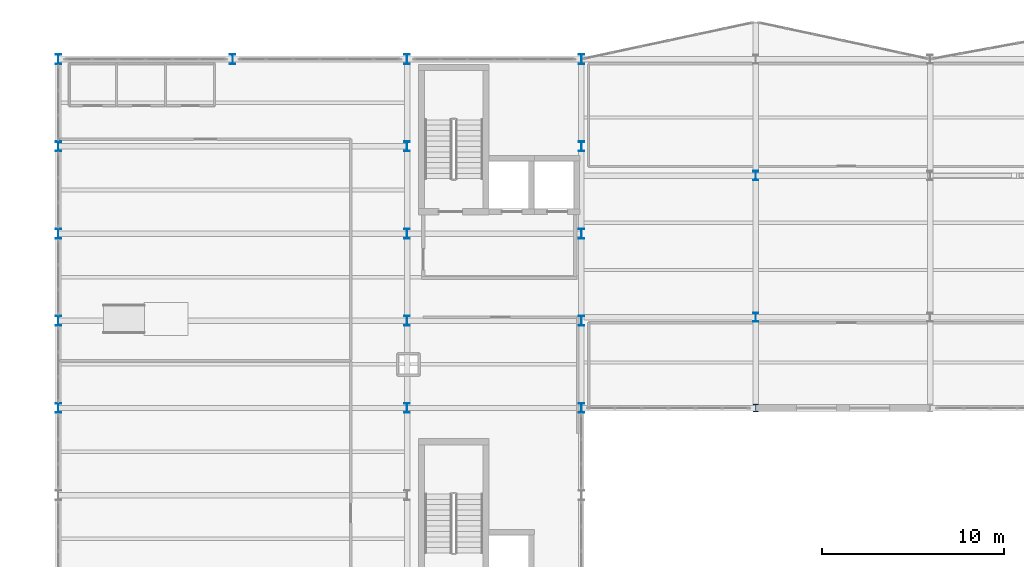
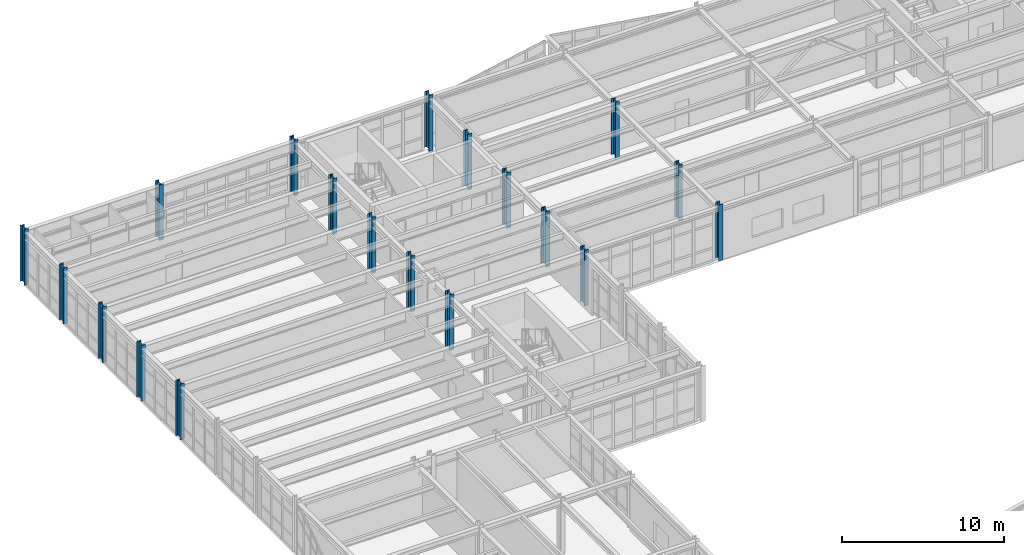
# One storey, part 6 of 88: 19 columns.
"""IFC4 building model written with IfcOpenShell, lengths in metres."""

from ifc_helpers import new_model, si_unit, direction, frame, origin, origin_2d, place, context, subcontext, project, spatial, i_section, extrude, material, material_profile, profile_set, type_object, element, save


model = new_model("IFC4")

# Units and contexts
model_context = context("Model", 3, precision=1e-05, world=origin(), true_north=direction((0.0, 1.0)))
body_context = subcontext(model_context, "Body", "Model", "MODEL_VIEW")
ifc_project = project(units=[si_unit("LENGTHUNIT", "METRE"), si_unit("AREAUNIT", "SQUARE_METRE"), si_unit("VOLUMEUNIT", "CUBIC_METRE"), si_unit("PLANEANGLEUNIT", "RADIAN"), si_unit("MASSUNIT", "GRAM", prefix="KILO")], contexts=[model_context])

# Site, building, storey
site_placement = place(None, origin())
site = spatial("IfcSite", under=ifc_project, at=site_placement, CompositionType="ELEMENT")
building_placement = place(site_placement, origin())
building = spatial("IfcBuilding", under=site, at=building_placement, Name="Nordkorset Police Headquarters", CompositionType="ELEMENT")
storey_placement = place(building_placement, frame((0.0, 0.0, 9.449951171875)))
storey = spatial("IfcBuildingStorey", under=building, at=storey_placement, Name="L02", CompositionType="ELEMENT", Elevation=9.449951171875)

# Columns
ifc_material_1 = material(Name="Steel S355J2", Category="steel")
ifc_material_profile_1 = material_profile(ifc_material_1, i_section(OverallWidth=0.300048828125, OverallDepth=0.39990234375, WebThickness=0.013427734375, FlangeThickness=0.02392578125, FilletRadius=0.027099609375, at=origin_2d()), Name="HEB 400")
ifc_profile_set_1 = profile_set([ifc_material_profile_1], Name="Steel S355J2")
column_type_1 = type_object("IfcColumnType", Name="Col_HEB_400", PredefinedType="COLUMN", material=ifc_profile_set_1)
column_placement = place(storey_placement, frame((38.39990234375, 97.60009765625, 0.0), z_axis=(0.0, 0.0, 1.0), x_axis=(1.0, 0.0, 0.0)))
element("IfcColumn", 1, at=column_placement, inside=storey, type_object=column_type_1, Name="Structural Column V2_Y0_0 L02", PredefinedType="COLUMN", context=body_context, shape_type="SweptSolid", body=[
    extrude(i_section(OverallWidth=0.300048828125, OverallDepth=0.39990234375, WebThickness=0.013427734375, FlangeThickness=0.02392578125, FilletRadius=0.027099609375, at=origin_2d()), origin(), (0.0, 0.0, 1.0), 4.199951171875),
])
ifc_material_2 = material(Name="Steel S355J2", Category="steel")
ifc_material_profile_2 = material_profile(ifc_material_2, i_section(OverallWidth=0.300048828125, OverallDepth=0.5, WebThickness=0.014404296875, FlangeThickness=0.028076171875, FilletRadius=0.027099609375, at=origin_2d()), Name="HEB 500")
ifc_profile_set_2 = profile_set([ifc_material_profile_2], Name="Steel S355J2")
column_type_2 = type_object("IfcColumnType", Name="Col_HEB_500", PredefinedType="COLUMN", material=ifc_profile_set_2)
for number, where, z_axis, x_axis, name in (
    (2, (38.39990234375, 102.60009765625, 0.0), (0.0, 0.0, 1.0), (1.0, 0.0, 0.0), "Structural Column V2_Y1_0 L02"),
    (3, (38.39990234375, 110.39990234375, 0.0), (0.0, 0.0, 1.0), (1.0, 0.0, 0.0), "Structural Column V2_Y2_0 L02"),
):
    element("IfcColumn", number, at=place(storey_placement, frame(where, z_axis=z_axis, x_axis=x_axis)), inside=storey, type_object=column_type_2, Name=name, PredefinedType="COLUMN", context=body_context, shape_type="SweptSolid", body=[
        extrude(i_section(OverallWidth=0.300048828125, OverallDepth=0.5, WebThickness=0.014404296875, FlangeThickness=0.028076171875, FilletRadius=0.027099609375, at=origin_2d()), origin(), (0.0, 0.0, 1.0), 4.199951171875),
    ])
ifc_material_3 = material(Name="Steel S355J2", Category="steel")
ifc_material_profile_3 = material_profile(ifc_material_3, i_section(OverallWidth=0.300048828125, OverallDepth=0.550048828125, WebThickness=0.014892578125, FlangeThickness=0.029052734375, FilletRadius=0.027099609375, at=origin_2d()), Name="HEB 550")
ifc_profile_set_3 = profile_set([ifc_material_profile_3], Name="Steel S355J2")
column_type_3 = type_object("IfcColumnType", Name="Col_HEB_550", PredefinedType="COLUMN", material=ifc_profile_set_3)
for number, where, z_axis, x_axis, name in (
    (4, (0.0, 97.60009765625, 0.0), (0.0, 0.0, 1.0), (1.0, 0.0, 0.0), "Structural Column V1_W_3 L02"),
    (5, (28.800048828125, 97.60009765625, 0.0), (0.0, 0.0, 1.0), (1.0, 0.0, 0.0), "Structural Column V1_E_3 L02"),
    (6, (0.0, 102.39990234375, 0.0), (0.0, 0.0, 1.0), (1.0, 0.0, 0.0), "Structural Column V1_W_4 L02"),
    (7, (28.800048828125, 102.39990234375, 0.0), (0.0, 0.0, 1.0), (1.0, 0.0, 0.0), "Structural Column V1_E_4 L02"),
    (8, (0.0, 107.199951171875, 0.0), (0.0, 0.0, 1.0), (1.0, 0.0, 0.0), "Structural Column V1_W_5 L02"),
    (9, (28.800048828125, 107.199951171875, 0.0), (0.0, 0.0, 1.0), (1.0, 0.0, 0.0), "Structural Column V1_E_5 L02"),
    (10, (0.0, 112.0, 0.0), (0.0, 0.0, 1.0), (1.0, 0.0, 0.0), "Structural Column V1_W_6 L02"),
    (11, (28.800048828125, 112.0, 0.0), (0.0, 0.0, 1.0), (1.0, 0.0, 0.0), "Structural Column V1_E_6 L02"),
    (12, (0.0, 116.800048828125, 0.0), (0.0, 0.0, 1.0), (1.0, 0.0, 0.0), "Structural Column V1_W_7 L02"),
    (13, (28.800048828125, 116.800048828125, 0.0), (0.0, 0.0, 1.0), (1.0, 0.0, 0.0), "Structural Column V1_E_7 L02"),
    (14, (9.60009765625, 116.800048828125, 0.0), (0.0, 0.0, 1.0), (1.0, 0.0, 0.0), "Structural Column V1_N_0 L02"),
    (15, (19.199951171875, 116.800048828125, 0.0), (0.0, 0.0, 1.0), (1.0, 0.0, 0.0), "Structural Column V1_N_1 L02"),
    (16, (19.199951171875, 97.60009765625, 0.0), (0.0, 0.0, 1.0), (1.0, 0.0, 0.0), "Structural Column V1_CW_2 L02"),
    (17, (19.199951171875, 102.39990234375, 0.0), (0.0, 0.0, 1.0), (1.0, 0.0, 0.0), "Structural Column V1_CW_3 L02"),
    (18, (19.199951171875, 107.199951171875, 0.0), (0.0, 0.0, 1.0), (1.0, 0.0, 0.0), "Structural Column V1_CW_4 L02"),
    (19, (19.199951171875, 112.0, 0.0), (0.0, 0.0, 1.0), (1.0, 0.0, 0.0), "Structural Column V1_CW_5 L02"),
):
    element("IfcColumn", number, at=place(storey_placement, frame(where, z_axis=z_axis, x_axis=x_axis)), inside=storey, type_object=column_type_3, Name=name, PredefinedType="COLUMN", context=body_context, shape_type="SweptSolid", body=[
        extrude(i_section(OverallWidth=0.300048828125, OverallDepth=0.550048828125, WebThickness=0.014892578125, FlangeThickness=0.029052734375, FilletRadius=0.027099609375, at=origin_2d()), origin(), (0.0, 0.0, 1.0), 4.199951171875),
    ])

save(model, "model.ifc")
